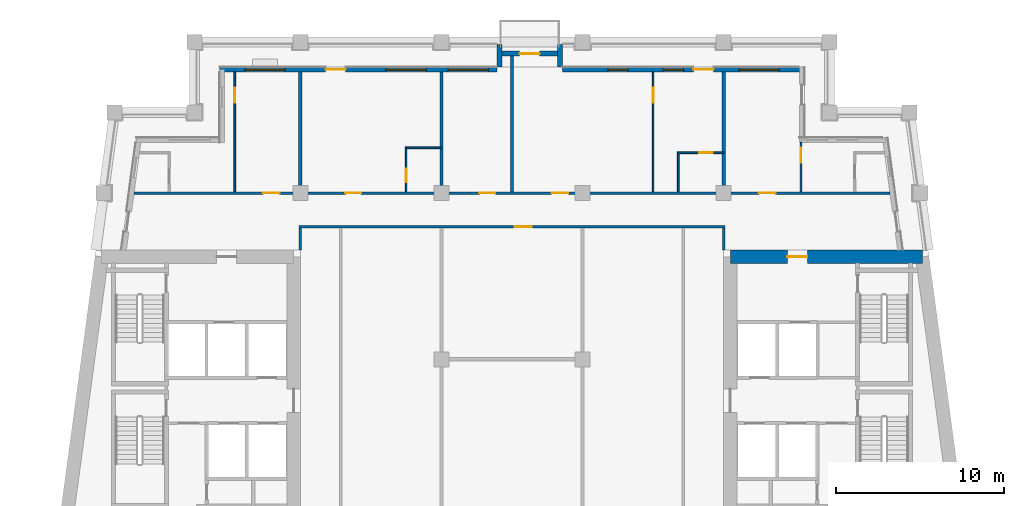
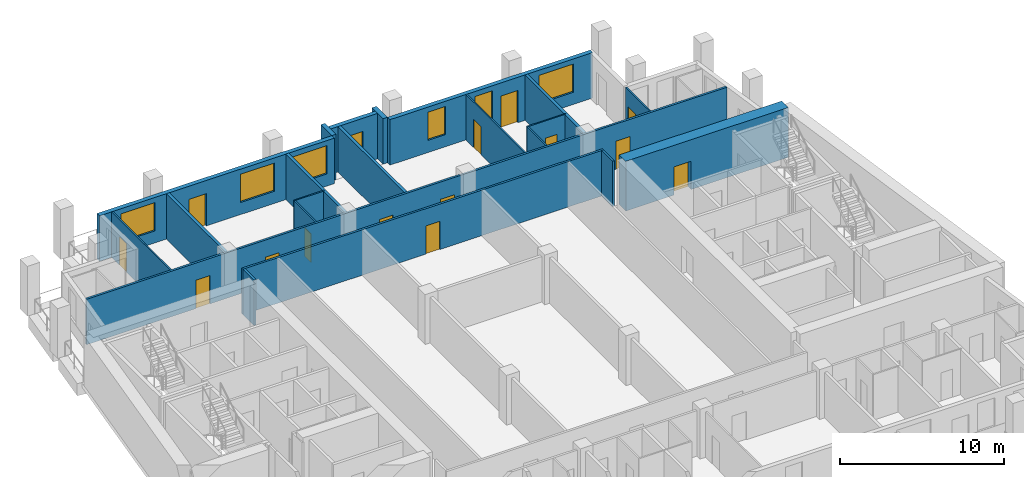
# One storey, part 6 of 12: 21 walls, 15 doors, 6 windows, 21 openings.
"""IFC4 building model written with IfcOpenShell, lengths in metres."""

import ifcopenshell
import ifcopenshell.guid

model = None  # the IFC model being written
_history = None  # IfcOwnerHistory: only IFC2X3 demands one
_inside = {}  # id of a spatial element -> (the spatial element, [elements in it])
_under = {}  # id of a project, library or spatial element -> (it, [spatial elements below it])
_declared = {}  # id of a project -> (the project, [libraries it declares])
_typed = {}  # id of a type object -> (the type object, [elements of that type])
_made_of = {}  # id of a material, layer set ... -> (it, [elements and type objects made of it])


def new_model(schema):
    """Start an empty IFC model of exactly this schema.

    Asked for "IFC4X3", IfcOpenShell would pick the latest addendum, in which some entities
    have other attributes; the version numbers below select the first issue.
    IFC2X3 requires an IfcOwnerHistory on every rooted entity: one is made here for all.
    """
    global model, _history
    if schema == "IFC4X3":
        model = ifcopenshell.file(schema_version=(4, 3, 0, 0))
    else:
        model = ifcopenshell.file(schema=schema)
    _inside.clear()
    _under.clear()
    _declared.clear()
    _typed.clear()
    _made_of.clear()
    _history = None
    if model.schema == "IFC2X3":
        org = make("IfcOrganization", Name="unknown")
        user = make(
            "IfcPersonAndOrganization",
            ThePerson=make("IfcPerson", FamilyName="unknown"),
            TheOrganization=org,
        )
        app = make(
            "IfcApplication",
            ApplicationDeveloper=org,
            Version="unknown",
            ApplicationFullName="unknown",
            ApplicationIdentifier="unknown",
        )
        _history = make(
            "IfcOwnerHistory",
            OwningUser=user,
            OwningApplication=app,
            ChangeAction="ADDED",
            CreationDate=0,
        )
    return model


def make(cls, **values):
    """One entity of the class cls with the attributes given. An attribute that is None is left unset."""
    return model.create_entity(
        cls, **{name: value for name, value in values.items() if value is not None}
    )


def rooted(cls, **values):
    """An entity with a GlobalId (a new one), such as an element, a storey or a relation."""
    return make(cls, GlobalId=ifcopenshell.guid.new(), OwnerHistory=_history, **values)


def si_unit(unit_type, name, prefix=None):
    """IfcSIUnit, for example si_unit("LENGTHUNIT", "METRE", prefix="MILLI")."""
    return make("IfcSIUnit", UnitType=unit_type, Prefix=prefix, Name=name)


def assignment(units):
    """IfcUnitAssignment: the units of a project."""
    return None if units is None else make("IfcUnitAssignment", Units=units)


def point(xyz):
    """IfcCartesianPoint."""
    return None if xyz is None else make("IfcCartesianPoint", Coordinates=xyz)


def direction(xyz):
    """IfcDirection."""
    return None if xyz is None else make("IfcDirection", DirectionRatios=xyz)


def frame(location, z_axis=None, x_axis=None):
    """IfcAxis2Placement3D, a coordinate frame: its origin and axes. An axis left out is left unset."""
    return make(
        "IfcAxis2Placement3D",
        Location=point(location),
        Axis=direction(z_axis),
        RefDirection=direction(x_axis),
    )


def frame_2d(location, x_axis=None):
    """IfcAxis2Placement2D, a coordinate frame in the plane: its origin and x axis."""
    return make(
        "IfcAxis2Placement2D", Location=point(location), RefDirection=direction(x_axis)
    )


def origin():
    """The frame at (0, 0, 0) with its axes left unset."""
    return frame((0.0, 0.0, 0.0))


def place(relative_to, where):
    """IfcLocalPlacement: puts the frame where relative to a parent placement (None: the world)."""
    return make(
        "IfcLocalPlacement", PlacementRelTo=relative_to, RelativePlacement=where
    )


def context(
    kind, dimensions, precision=None, world=None, true_north=None, identifier=None
):
    """IfcGeometricRepresentationContext, for example the 3D "Model" context."""
    return make(
        "IfcGeometricRepresentationContext",
        ContextIdentifier=identifier,
        ContextType=kind,
        CoordinateSpaceDimension=dimensions,
        Precision=precision,
        WorldCoordinateSystem=world,
        TrueNorth=true_north,
    )


def subcontext(parent, identifier, kind, view, scale=None):
    """IfcGeometricRepresentationSubContext, for example "Body" below "Model"."""
    return make(
        "IfcGeometricRepresentationSubContext",
        ContextIdentifier=identifier,
        ContextType=kind,
        ParentContext=parent,
        TargetScale=scale,
        TargetView=view,
    )


def project(units=None, contexts=None):
    """IfcProject with its units and contexts."""
    return rooted(
        "IfcProject",
        Name="project",
        RepresentationContexts=contexts,
        UnitsInContext=assignment(units),
    )


def spatial(cls, under=None, at=None, **own):
    """A site, building, storey or space (cls), placed at a placement, below another one or the project."""
    s = rooted(cls, ObjectPlacement=at, **own)
    if under is not None:
        _under.setdefault(under.id(), (under, []))[1].append(s)
    return s


def profile(cls, at=None, kind="AREA", **sizes):
    """A parametric profile (cls). Its sizes go by their IFC names, for example OverallWidth=200.0."""
    return make(cls, ProfileType=kind, Position=at, **sizes)


def rectangle(**sizes):
    """IfcRectangleProfileDef."""
    return profile("IfcRectangleProfileDef", **sizes)


def extrude(swept, where, along, depth):
    """IfcExtrudedAreaSolid: the profile swept, set in the frame where, extruded along a direction by depth."""
    return make(
        "IfcExtrudedAreaSolid",
        SweptArea=swept,
        Position=where,
        ExtrudedDirection=direction(along),
        Depth=depth,
    )


def shape(context_of_items, identifier, shape_type, items):
    """IfcShapeRepresentation: the items that make up one representation, for example the "Body"."""
    return make(
        "IfcShapeRepresentation",
        ContextOfItems=context_of_items,
        RepresentationIdentifier=identifier,
        RepresentationType=shape_type,
        Items=items,
    )


def material(Name=None, Category=None):
    """IfcMaterial."""
    return make("IfcMaterial", Name=Name, Category=Category)


def layer(
    of_material, thickness, ventilated=None, Name=None, Category=None, Priority=None
):
    """IfcMaterialLayer: one layer of a wall or slab, of a material (None: an air gap)."""
    return make(
        "IfcMaterialLayer",
        Material=of_material,
        LayerThickness=thickness,
        IsVentilated=ventilated,
        Name=Name,
        Category=Category,
        Priority=Priority,
    )


def layer_set(layers, Name=None):
    """IfcMaterialLayerSet."""
    return make("IfcMaterialLayerSet", MaterialLayers=layers, LayerSetName=Name)


def made_of(thing, what):
    """Note that an element or type object is made of a material, layer set ...; save() writes the relation."""
    if what is not None:
        _made_of.setdefault(what.id(), (what, []))[1].append(thing)
    return thing


def type_object(cls, material=None, **own):
    """A type object (cls), such as IfcWallType, which elements share."""
    return made_of(rooted(cls, **own), material)


def element(
    cls,
    number,
    at=None,
    inside=None,
    cuts=None,
    type_object=None,
    material=None,
    context=None,
    identifier="Body",
    shape_type=None,
    held_by="IfcProductDefinitionShape",
    body=None,
    shapes=None,
    **own,
):
    """One element of the class cls, such as IfcWall. Its Tag is "e" and its number.

    at: its placement. inside: the storey or other place that contains it. cuts: it is an
    opening in that element (IfcRelVoidsElement). A single representation is given by context,
    identifier, shape_type and body (its items); several are given by shapes. held_by: the class
    of the entity that holds the representations. save() writes the other relations.
    """
    e = rooted(cls, Tag="e%d" % number, ObjectPlacement=at, **own)
    if body is not None:
        shapes = [shape(context, identifier, shape_type, body)]
    if shapes is not None:
        e.Representation = make(held_by, Representations=shapes)
    if inside is not None:
        _inside.setdefault(inside.id(), (inside, []))[1].append(e)
    if cuts is not None:
        rooted(
            "IfcRelVoidsElement", RelatingBuildingElement=cuts, RelatedOpeningElement=e
        )
    if type_object is not None:
        _typed.setdefault(type_object.id(), (type_object, []))[1].append(e)
    return made_of(e, material)


def fill(opening, filler):
    """IfcRelFillsElement: the door or window that sits in an opening."""
    return rooted(
        "IfcRelFillsElement",
        RelatingOpeningElement=opening,
        RelatedBuildingElement=filler,
    )


def aggregate(whole, parts):
    """IfcRelAggregates: a whole, such as a stair, and the parts it consists of."""
    return rooted("IfcRelAggregates", RelatingObject=whole, RelatedObjects=parts)


def save(model, path):
    """Write the relations noted so far, then the file.

    IfcRelAggregates (storeys below a building ...), IfcRelContainedInSpatialStructure (elements
    in a storey), IfcRelDefinesByType, IfcRelAssociatesMaterial and IfcRelDeclares: one each for
    every whole, place, type object, material and project.
    """
    for whole, parts in _under.values():
        aggregate(whole, parts)
    for where, things in _inside.values():
        rooted(
            "IfcRelContainedInSpatialStructure",
            RelatedElements=things,
            RelatingStructure=where,
        )
    for kind, things in _typed.values():
        rooted("IfcRelDefinesByType", RelatedObjects=things, RelatingType=kind)
    for what, things in _made_of.values():
        rooted("IfcRelAssociatesMaterial", RelatedObjects=things, RelatingMaterial=what)
    for by, libraries in _declared.values():
        rooted("IfcRelDeclares", RelatingContext=by, RelatedDefinitions=libraries)
    model.write(path)


model = new_model("IFC4")

# Units and contexts
model_context = context("Model", 3, precision=1e-05, world=origin(), true_north=direction((0.0, 1.0)))
body_context = subcontext(model_context, "Body", "Model", "MODEL_VIEW")
ifc_project = project(units=[si_unit("LENGTHUNIT", "METRE"), si_unit("AREAUNIT", "SQUARE_METRE"), si_unit("VOLUMEUNIT", "CUBIC_METRE"), si_unit("PLANEANGLEUNIT", "RADIAN"), si_unit("MASSUNIT", "GRAM", prefix="KILO")], contexts=[model_context])

# Site, building, storey
site_placement = place(None, origin())
site = spatial("IfcSite", under=ifc_project, at=site_placement, CompositionType="ELEMENT")
building_placement = place(site_placement, origin())
building = spatial("IfcBuilding", under=site, at=building_placement, Name="Candeia Pilgrim Tower and Theatre", CompositionType="ELEMENT")
storey_placement = place(building_placement, frame((0.0, 0.0, 235.5)))
storey = spatial("IfcBuildingStorey", under=building, at=storey_placement, Name="L57", CompositionType="ELEMENT", Elevation=235.5)

# Wall, opening, door
ifc_material_1 = material(Name="Concrete C50/60", Category="concrete")
ifc_layer_1 = layer(ifc_material_1, 0.800048828125)
ifc_layer_set_1 = layer_set([ifc_layer_1], Name="Core wall 800 C50/60")
wall_type_1 = type_object("IfcWallType", Name="Core wall 800 C50/60", PredefinedType="SHEAR", material=ifc_layer_set_1)
wall_1_placement = place(storey_placement, frame((126.39990234375, 132.0, 0.0), z_axis=(0.0, 0.0, 1.0), x_axis=(1.0, 0.0, 0.0)))
wall_1 = element("IfcWall", 1, at=wall_1_placement, inside=storey, type_object=wall_type_1, Name="Core wall E1", PredefinedType="SHEAR", context=body_context, shape_type="SweptSolid", body=[
    extrude(rectangle(XDim=11.419677734375, YDim=0.800048828125, at=frame_2d((5.7099609375, 0.0))), origin(), (0.0, 0.0, 1.0), 3.699951171875),
])
opening_1_placement = place(wall_1_placement, frame((3.386474609375, 0.0, 0.0)))
opening_1 = element("IfcOpeningElement", 2, at=opening_1_placement, cuts=wall_1, Name="Opening L57-D051", PredefinedType="OPENING", context=body_context, shape_type="SweptSolid", body=[
    extrude(rectangle(XDim=1.199951171875, YDim=2.10009765625, at=frame_2d((0.60009765625, 1.050048828125))), frame((0.0, 0.41015625, 0.0), z_axis=(0.0, -1.0, 0.0), x_axis=(1.0, 0.0, 0.0)), (0.0, 0.0, 1.0), 0.820068359375),
])
ifc_material_2 = material(Name="Steel fire door set", Category="steel")
door_type_1 = type_object("IfcDoorType", Name="D-1200-FD60", OperationType="NOTDEFINED", PredefinedType="DOOR", material=ifc_material_2)
door_1_placement = place(opening_1_placement, origin())
door_1 = element("IfcDoor", 3, at=door_1_placement, inside=storey, type_object=door_type_1, Name="Door L57-D051", OperationType="SINGLE_SWING_RIGHT", OverallHeight=2.10009765625, OverallWidth=1.199951171875, PredefinedType="DOOR", context=body_context, shape_type="SweptSolid", body=[
    extrude(rectangle(XDim=1.199951171875, YDim=2.10009765625, at=frame_2d((0.60009765625, 1.050048828125))), frame((0.0, 0.02490234375, 0.0), z_axis=(0.0, -1.0, 0.0), x_axis=(1.0, 0.0, 0.0)), (0.0, 0.0, 1.0), 0.050048828125),
])
fill(opening_1, door_1)

# Wall, openings, door, windows
ifc_material_3 = material(Name="Ceramic block masonry", Category="masonry")
ifc_layer_2 = layer(ifc_material_3, 0.300048828125)
ifc_layer_set_2 = layer_set([ifc_layer_2], Name="EW1 glazing-line wall 300")
wall_type_2 = type_object("IfcWallType", Name="EW1 glazing-line wall 300", PredefinedType="SOLIDWALL", material=ifc_layer_set_2)
wall_2_placement = place(storey_placement, frame((130.64990234375, 143.14990234375, 0.0), z_axis=(0.0, 0.0, 1.0), x_axis=(-1.0, 0.0, 0.0)))
wall_2 = element("IfcWall", 4, at=wall_2_placement, inside=storey, type_object=wall_type_2, Name="External wall L57-6.0", PredefinedType="SOLIDWALL", context=body_context, shape_type="SweptSolid", body=[
    extrude(rectangle(XDim=14.25, YDim=0.300048828125, at=frame_2d((7.125, 0.0))), origin(), (0.0, 0.0, 1.0), 3.3798828125),
])
opening_2_placement = place(wall_2_placement, frame((1.35009765625, 0.0, 0.89990234375)))
opening_2 = element("IfcOpeningElement", 5, at=opening_2_placement, cuts=wall_2, Name="Opening W-A", PredefinedType="OPENING", context=body_context, shape_type="SweptSolid", body=[
    extrude(rectangle(XDim=2.39990234375, YDim=2.10009765625, at=frame_2d((1.199951171875, 1.050048828125))), frame((0.0, 0.16015625, 0.0), z_axis=(0.0, -1.0, 0.0), x_axis=(1.0, 0.0, 0.0)), (0.0, 0.0, 1.0), 0.320068359375),
])
opening_3_placement = place(wall_2_placement, frame((5.25, 0.0, 0.0)))
opening_3 = element("IfcOpeningElement", 6, at=opening_3_placement, cuts=wall_2, Name="Opening L57-ED551", PredefinedType="OPENING", context=body_context, shape_type="SweptSolid", body=[
    extrude(rectangle(XDim=1.199951171875, YDim=2.39990234375, at=frame_2d((0.60009765625, 1.199951171875))), frame((0.0, 0.16015625, 0.0), z_axis=(0.0, -1.0, 0.0), x_axis=(1.0, 0.0, 0.0)), (0.0, 0.0, 1.0), 0.320068359375),
])
opening_4_placement = place(wall_2_placement, frame((7.050048828125, 0.0, 0.89990234375)))
opening_4 = element("IfcOpeningElement", 7, at=opening_4_placement, cuts=wall_2, Name="Opening W-B", PredefinedType="OPENING", context=body_context, shape_type="SweptSolid", body=[
    extrude(rectangle(XDim=1.199951171875, YDim=2.10009765625, at=frame_2d((0.60009765625, 1.050048828125))), frame((0.0, 0.16015625, 0.0), z_axis=(0.0, -1.0, 0.0), x_axis=(1.0, 0.0, 0.0)), (0.0, 0.0, 1.0), 0.320068359375),
])
opening_5_placement = place(wall_2_placement, frame((10.35009765625, 0.0, 0.89990234375)))
opening_5 = element("IfcOpeningElement", 8, at=opening_5_placement, cuts=wall_2, Name="Opening W-B", PredefinedType="OPENING", context=body_context, shape_type="SweptSolid", body=[
    extrude(rectangle(XDim=1.199951171875, YDim=2.10009765625, at=frame_2d((0.60009765625, 1.050048828125))), frame((0.0, 0.16015625, 0.0), z_axis=(0.0, -1.0, 0.0), x_axis=(1.0, 0.0, 0.0)), (0.0, 0.0, 1.0), 0.320068359375),
])
ifc_material_4 = material(Name="Aluminium framed glazed door", Category="aluminium")
door_type_2 = type_object("IfcDoorType", Name="Loggia door 1200x2400", OperationType="DOUBLE_DOOR_SINGLE_SWING", PredefinedType="DOOR", material=ifc_material_4)
door_2_placement = place(opening_3_placement, origin())
door_2 = element("IfcDoor", 9, at=door_2_placement, inside=storey, type_object=door_type_2, Name="Loggia door L57-ED551", OperationType="DOUBLE_DOOR_SINGLE_SWING", OverallHeight=2.39990234375, OverallWidth=1.199951171875, PredefinedType="DOOR", context=body_context, shape_type="SweptSolid", body=[
    extrude(rectangle(XDim=1.199951171875, YDim=2.39990234375, at=frame_2d((0.60009765625, 1.199951171875))), frame((0.0, 0.02490234375, 0.0), z_axis=(0.0, -1.0, 0.0), x_axis=(1.0, 0.0, 0.0)), (0.0, 0.0, 1.0), 0.050048828125),
])
fill(opening_3, door_2)
ifc_material_5 = material(Name="Aluminium framed double glazing", Category="aluminium")
window_type_1 = type_object("IfcWindowType", Name="W-A window 2400x2100", PartitioningType="DOUBLE_PANEL_VERTICAL", PredefinedType="WINDOW", material=ifc_material_5)
window_1_placement = place(opening_2_placement, origin())
window_1 = element("IfcWindow", 10, at=window_1_placement, inside=storey, type_object=window_type_1, Name="Window W-A L57", OverallHeight=2.10009765625, OverallWidth=2.39990234375, PartitioningType="SINGLE_PANEL", PredefinedType="WINDOW", context=body_context, shape_type="SweptSolid", body=[
    extrude(rectangle(XDim=2.39990234375, YDim=2.10009765625, at=frame_2d((1.199951171875, 1.050048828125))), frame((0.0, 0.030029296875, 0.0), z_axis=(0.0, -1.0, 0.0), x_axis=(1.0, 0.0, 0.0)), (0.0, 0.0, 1.0), 0.06005859375),
])
fill(opening_2, window_1)
window_type_2 = type_object("IfcWindowType", Name="W-B window 1200x2100", PartitioningType="SINGLE_PANEL", PredefinedType="WINDOW", material=ifc_material_5)
window_2_placement = place(opening_4_placement, origin())
window_2 = element("IfcWindow", 11, at=window_2_placement, inside=storey, type_object=window_type_2, Name="Window W-B L57", OverallHeight=2.10009765625, OverallWidth=1.199951171875, PartitioningType="SINGLE_PANEL", PredefinedType="WINDOW", context=body_context, shape_type="SweptSolid", body=[
    extrude(rectangle(XDim=1.199951171875, YDim=2.10009765625, at=frame_2d((0.60009765625, 1.050048828125))), frame((0.0, 0.030029296875, 0.0), z_axis=(0.0, -1.0, 0.0), x_axis=(1.0, 0.0, 0.0)), (0.0, 0.0, 1.0), 0.06005859375),
])
fill(opening_4, window_2)
window_3_placement = place(opening_5_placement, origin())
window_3 = element("IfcWindow", 12, at=window_3_placement, inside=storey, type_object=window_type_2, Name="Window W-B L57", OverallHeight=2.10009765625, OverallWidth=1.199951171875, PartitioningType="SINGLE_PANEL", PredefinedType="WINDOW", context=body_context, shape_type="SweptSolid", body=[
    extrude(rectangle(XDim=1.199951171875, YDim=2.10009765625, at=frame_2d((0.60009765625, 1.050048828125))), frame((0.0, 0.030029296875, 0.0), z_axis=(0.0, -1.0, 0.0), x_axis=(1.0, 0.0, 0.0)), (0.0, 0.0, 1.0), 0.06005859375),
])
fill(opening_5, window_3)

wall_3_placement = place(storey_placement, frame((112.5, 143.14990234375, 0.0), z_axis=(0.0, 0.0, 1.0), x_axis=(-1.0, 0.0, 0.0)))
wall_3 = element("IfcWall", 13, at=wall_3_placement, inside=storey, type_object=wall_type_2, Name="External wall L57-6.1", PredefinedType="SOLIDWALL", context=body_context, shape_type="SweptSolid", body=[
    extrude(rectangle(XDim=16.5, YDim=0.300048828125, at=frame_2d((8.25, 0.0))), origin(), (0.0, 0.0, 1.0), 3.3798828125),
])
opening_6_placement = place(wall_3_placement, frame((0.5, 0.0, 0.89990234375)))
opening_6 = element("IfcOpeningElement", 14, at=opening_6_placement, cuts=wall_3, Name="Opening W-A", PredefinedType="OPENING", context=body_context, shape_type="SweptSolid", body=[
    extrude(rectangle(XDim=2.39990234375, YDim=2.10009765625, at=frame_2d((1.199951171875, 1.050048828125))), frame((0.0, 0.16015625, 0.0), z_axis=(0.0, -1.0, 0.0), x_axis=(1.0, 0.0, 0.0)), (0.0, 0.0, 1.0), 0.320068359375),
])
opening_7_placement = place(wall_3_placement, frame((4.199951171875, 0.0, 0.89990234375)))
opening_7 = element("IfcOpeningElement", 15, at=opening_7_placement, cuts=wall_3, Name="Opening W-A", PredefinedType="OPENING", context=body_context, shape_type="SweptSolid", body=[
    extrude(rectangle(XDim=2.39990234375, YDim=2.10009765625, at=frame_2d((1.199951171875, 1.050048828125))), frame((0.0, 0.16015625, 0.0), z_axis=(0.0, -1.0, 0.0), x_axis=(1.0, 0.0, 0.0)), (0.0, 0.0, 1.0), 0.320068359375),
])
opening_8_placement = place(wall_3_placement, frame((9.0, 0.0, 0.0)))
opening_8 = element("IfcOpeningElement", 16, at=opening_8_placement, cuts=wall_3, Name="Opening L57-ED552", PredefinedType="OPENING", context=body_context, shape_type="SweptSolid", body=[
    extrude(rectangle(XDim=1.199951171875, YDim=2.39990234375, at=frame_2d((0.60009765625, 1.199951171875))), frame((0.0, 0.16015625, 0.0), z_axis=(0.0, -1.0, 0.0), x_axis=(1.0, 0.0, 0.0)), (0.0, 0.0, 1.0), 0.320068359375),
])
opening_9_placement = place(wall_3_placement, frame((12.60009765625, 0.0, 0.89990234375)))
opening_9 = element("IfcOpeningElement", 17, at=opening_9_placement, cuts=wall_3, Name="Opening W-A", PredefinedType="OPENING", context=body_context, shape_type="SweptSolid", body=[
    extrude(rectangle(XDim=2.39990234375, YDim=2.10009765625, at=frame_2d((1.199951171875, 1.050048828125))), frame((0.0, 0.16015625, 0.0), z_axis=(0.0, -1.0, 0.0), x_axis=(1.0, 0.0, 0.0)), (0.0, 0.0, 1.0), 0.320068359375),
])
door_3_placement = place(opening_8_placement, origin())
door_3 = element("IfcDoor", 18, at=door_3_placement, inside=storey, type_object=door_type_2, Name="Loggia door L57-ED552", OperationType="DOUBLE_DOOR_SINGLE_SWING", OverallHeight=2.39990234375, OverallWidth=1.199951171875, PredefinedType="DOOR", context=body_context, shape_type="SweptSolid", body=[
    extrude(rectangle(XDim=1.199951171875, YDim=2.39990234375, at=frame_2d((0.60009765625, 1.199951171875))), frame((0.0, 0.02490234375, 0.0), z_axis=(0.0, -1.0, 0.0), x_axis=(1.0, 0.0, 0.0)), (0.0, 0.0, 1.0), 0.050048828125),
])
fill(opening_8, door_3)
window_4_placement = place(opening_6_placement, origin())
window_4 = element("IfcWindow", 19, at=window_4_placement, inside=storey, type_object=window_type_1, Name="Window W-A L57", OverallHeight=2.10009765625, OverallWidth=2.39990234375, PartitioningType="SINGLE_PANEL", PredefinedType="WINDOW", context=body_context, shape_type="SweptSolid", body=[
    extrude(rectangle(XDim=2.39990234375, YDim=2.10009765625, at=frame_2d((1.199951171875, 1.050048828125))), frame((0.0, 0.030029296875, 0.0), z_axis=(0.0, -1.0, 0.0), x_axis=(1.0, 0.0, 0.0)), (0.0, 0.0, 1.0), 0.06005859375),
])
fill(opening_6, window_4)
window_5_placement = place(opening_7_placement, origin())
window_5 = element("IfcWindow", 20, at=window_5_placement, inside=storey, type_object=window_type_1, Name="Window W-A L57", OverallHeight=2.10009765625, OverallWidth=2.39990234375, PartitioningType="SINGLE_PANEL", PredefinedType="WINDOW", context=body_context, shape_type="SweptSolid", body=[
    extrude(rectangle(XDim=2.39990234375, YDim=2.10009765625, at=frame_2d((1.199951171875, 1.050048828125))), frame((0.0, 0.030029296875, 0.0), z_axis=(0.0, -1.0, 0.0), x_axis=(1.0, 0.0, 0.0)), (0.0, 0.0, 1.0), 0.06005859375),
])
fill(opening_7, window_5)
window_6_placement = place(opening_9_placement, origin())
window_6 = element("IfcWindow", 21, at=window_6_placement, inside=storey, type_object=window_type_1, Name="Window W-A L57", OverallHeight=2.10009765625, OverallWidth=2.39990234375, PartitioningType="SINGLE_PANEL", PredefinedType="WINDOW", context=body_context, shape_type="SweptSolid", body=[
    extrude(rectangle(XDim=2.39990234375, YDim=2.10009765625, at=frame_2d((1.199951171875, 1.050048828125))), frame((0.0, 0.030029296875, 0.0), z_axis=(0.0, -1.0, 0.0), x_axis=(1.0, 0.0, 0.0)), (0.0, 0.0, 1.0), 0.06005859375),
])
fill(opening_9, window_6)

# Walls
ifc_layer_3 = layer(ifc_material_3, 0.300048828125)
ifc_layer_set_3 = layer_set([ifc_layer_3], Name="EW2 entrance infill wall 300")
wall_type_3 = type_object("IfcWallType", Name="EW2 entrance infill wall 300", PredefinedType="SOLIDWALL", material=ifc_layer_set_3)
for number, where, z_axis, x_axis, name in (
    (22, (116.25, 143.300048828125, 0.0), (0.0, 0.0, 1.0), (0.0, 1.0, 0.0), "Alcove wall L57"),
    (23, (112.64990234375, 143.300048828125, 0.0), (0.0, 0.0, 1.0), (0.0, 1.0, 0.0), "Alcove wall L57"),
):
    element("IfcWall", number, at=place(storey_placement, frame(where, z_axis=z_axis, x_axis=x_axis)), inside=storey, type_object=wall_type_3, Name=name, PredefinedType="SOLIDWALL", context=body_context, shape_type="SweptSolid", body=[
        extrude(rectangle(XDim=1.349853515625, YDim=0.300048828125, at=frame_2d((0.6748046875, 0.0))), origin(), (0.0, 0.0, 1.0), 3.3798828125),
    ])

# Wall, opening, door
wall_4_placement = place(storey_placement, frame((116.39990234375, 144.10009765625, 0.0), z_axis=(0.0, 0.0, 1.0), x_axis=(-1.0, 0.0, 0.0)))
wall_4 = element("IfcWall", 24, at=wall_4_placement, inside=storey, type_object=wall_type_3, Name="Alcove wall L57", PredefinedType="SOLIDWALL", context=body_context, shape_type="SweptSolid", body=[
    extrude(rectangle(XDim=3.89990234375, YDim=0.300048828125, at=frame_2d((1.949951171875, 0.0))), origin(), (0.0, 0.0, 1.0), 3.3798828125),
])
opening_10_placement = place(wall_4_placement, frame((1.35009765625, 0.0, 0.0)))
opening_10 = element("IfcOpeningElement", 25, at=opening_10_placement, cuts=wall_4, Name="Opening L57-ED553", PredefinedType="OPENING", context=body_context, shape_type="SweptSolid", body=[
    extrude(rectangle(XDim=1.199951171875, YDim=2.39990234375, at=frame_2d((0.60009765625, 1.199951171875))), frame((0.0, 0.16015625, 0.0), z_axis=(0.0, -1.0, 0.0), x_axis=(1.0, 0.0, 0.0)), (0.0, 0.0, 1.0), 0.320068359375),
])
door_4_placement = place(opening_10_placement, origin())
door_4 = element("IfcDoor", 26, at=door_4_placement, inside=storey, type_object=door_type_2, Name="Balcony door L57-ED553", OperationType="DOUBLE_DOOR_SINGLE_SWING", OverallHeight=2.39990234375, OverallWidth=1.199951171875, PredefinedType="DOOR", context=body_context, shape_type="SweptSolid", body=[
    extrude(rectangle(XDim=1.199951171875, YDim=2.39990234375, at=frame_2d((0.60009765625, 1.199951171875))), frame((0.0, 0.02490234375, 0.0), z_axis=(0.0, -1.0, 0.0), x_axis=(1.0, 0.0, 0.0)), (0.0, 0.0, 1.0), 0.050048828125),
])
fill(opening_10, door_4)

ifc_material_6 = material(Name="Gypsum board partition on steel studs", Category="steel")
ifc_layer_4 = layer(ifc_material_6, 0.10009765625)
ifc_layer_set_4 = layer_set([ifc_layer_4], Name="PW-100 room partition")
wall_type_4 = type_object("IfcWallType", Name="PW-100 room partition", PredefinedType="PARTITIONING", material=ifc_layer_set_4)
wall_5_placement = place(storey_placement, frame((123.25, 138.199951171875, 0.0), z_axis=(0.0, 0.0, 1.0), x_axis=(1.0, 0.0, 0.0)))
wall_5 = element("IfcWall", 27, at=wall_5_placement, inside=storey, type_object=wall_type_4, Name="Room partition L57-042", PredefinedType="PARTITIONING", context=body_context, shape_type="SweptSolid", body=[
    extrude(rectangle(XDim=2.75, YDim=0.10009765625, at=frame_2d((1.375, 0.0))), origin(), (0.0, 0.0, 1.0), 3.3798828125),
])
opening_11_placement = place(wall_5_placement, frame((1.300048828125, 0.0, 0.0)))
opening_11 = element("IfcOpeningElement", 28, at=opening_11_placement, cuts=wall_5, Name="Opening L57-D039", PredefinedType="OPENING", context=body_context, shape_type="SweptSolid", body=[
    extrude(rectangle(XDim=0.800048828125, YDim=2.10009765625, at=frame_2d((0.39990234375, 1.050048828125))), frame((0.0, 0.06005859375, 0.0), z_axis=(0.0, -1.0, 0.0), x_axis=(1.0, 0.0, 0.0)), (0.0, 0.0, 1.0), 0.1201171875),
])
ifc_material_7 = material(Name="Timber door leaf", Category="wood")
door_type_3 = type_object("IfcDoorType", Name="D-800", OperationType="NOTDEFINED", PredefinedType="DOOR", material=ifc_material_7)
door_5_placement = place(opening_11_placement, origin())
door_5 = element("IfcDoor", 29, at=door_5_placement, inside=storey, type_object=door_type_3, Name="Door L57-D039", OperationType="SINGLE_SWING_RIGHT", OverallHeight=2.10009765625, OverallWidth=0.800048828125, PredefinedType="DOOR", context=body_context, shape_type="SweptSolid", body=[
    extrude(rectangle(XDim=0.800048828125, YDim=2.10009765625, at=frame_2d((0.39990234375, 1.050048828125))), frame((0.0, 0.02490234375, 0.0), z_axis=(0.0, -1.0, 0.0), x_axis=(1.0, 0.0, 0.0)), (0.0, 0.0, 1.0), 0.050048828125),
])
fill(opening_11, door_5)

# Wall
wall_6_placement = place(storey_placement, frame((107.050048828125, 138.5, 0.0), z_axis=(0.0, 0.0, 1.0), x_axis=(1.0, 0.0, 0.0)))
element("IfcWall", 30, at=wall_6_placement, inside=storey, type_object=wall_type_4, Name="Room partition L57-044", PredefinedType="PARTITIONING", context=body_context, shape_type="SweptSolid", body=[
    extrude(rectangle(XDim=2.14990234375, YDim=0.10009765625, at=frame_2d((1.074951171875, 0.0))), origin(), (0.0, 0.0, 1.0), 3.3798828125),
])

# Wall, opening, door
wall_7_placement = place(storey_placement, frame((96.89990234375, 135.875, 0.0), z_axis=(0.0, 0.0, 1.0), x_axis=(0.0, 1.0, 0.0)))
wall_7 = element("IfcWall", 31, at=wall_7_placement, inside=storey, type_object=wall_type_4, Name="Room partition L57-061", PredefinedType="PARTITIONING", context=body_context, shape_type="SweptSolid", body=[
    extrude(rectangle(XDim=7.135009765625, YDim=0.10009765625, at=frame_2d((3.5673828125, 0.0))), origin(), (0.0, 0.0, 1.0), 3.3798828125),
])
opening_12_placement = place(wall_7_placement, frame((5.2900390625, 0.0, 0.0)))
opening_12 = element("IfcOpeningElement", 32, at=opening_12_placement, cuts=wall_7, Name="Opening L57-D032", PredefinedType="OPENING", context=body_context, shape_type="SweptSolid", body=[
    extrude(rectangle(XDim=0.89990234375, YDim=2.10009765625, at=frame_2d((0.449951171875, 1.050048828125))), frame((0.0, 0.06005859375, 0.0), z_axis=(0.0, -1.0, 0.0), x_axis=(1.0, 0.0, 0.0)), (0.0, 0.0, 1.0), 0.1201171875),
])
door_type_4 = type_object("IfcDoorType", Name="D-900", OperationType="NOTDEFINED", PredefinedType="DOOR", material=ifc_material_7)
door_6_placement = place(opening_12_placement, origin())
door_6 = element("IfcDoor", 33, at=door_6_placement, inside=storey, type_object=door_type_4, Name="Door L57-D032", OperationType="SINGLE_SWING_LEFT", OverallHeight=2.10009765625, OverallWidth=0.89990234375, PredefinedType="DOOR", context=body_context, shape_type="SweptSolid", body=[
    extrude(rectangle(XDim=0.89990234375, YDim=2.10009765625, at=frame_2d((0.449951171875, 1.050048828125))), frame((0.0, 0.02490234375, 0.0), z_axis=(0.0, -1.0, 0.0), x_axis=(1.0, 0.0, 0.0)), (0.0, 0.0, 1.0), 0.050048828125),
])
fill(opening_12, door_6)

wall_8_placement = place(storey_placement, frame((107.10009765625, 135.875, 0.0), z_axis=(0.0, 0.0, 1.0), x_axis=(0.0, 1.0, 0.0)))
wall_8 = element("IfcWall", 34, at=wall_8_placement, inside=storey, type_object=wall_type_4, Name="Room partition L57-073", PredefinedType="PARTITIONING", context=body_context, shape_type="SweptSolid", body=[
    extrude(rectangle(XDim=2.574951171875, YDim=0.10009765625, at=frame_2d((1.28759765625, 0.0))), origin(), (0.0, 0.0, 1.0), 3.3798828125),
])
opening_13_placement = place(wall_8_placement, frame((0.574951171875, 0.0, 0.0)))
opening_13 = element("IfcOpeningElement", 35, at=opening_13_placement, cuts=wall_8, Name="Opening L57-D035", PredefinedType="OPENING", context=body_context, shape_type="SweptSolid", body=[
    extrude(rectangle(XDim=0.800048828125, YDim=2.10009765625, at=frame_2d((0.39990234375, 1.050048828125))), frame((0.0, 0.06005859375, 0.0), z_axis=(0.0, -1.0, 0.0), x_axis=(1.0, 0.0, 0.0)), (0.0, 0.0, 1.0), 0.1201171875),
])
door_7_placement = place(opening_13_placement, origin())
door_7 = element("IfcDoor", 36, at=door_7_placement, inside=storey, type_object=door_type_3, Name="Door L57-D035", OperationType="SINGLE_SWING_RIGHT", OverallHeight=2.10009765625, OverallWidth=0.800048828125, PredefinedType="DOOR", context=body_context, shape_type="SweptSolid", body=[
    extrude(rectangle(XDim=0.800048828125, YDim=2.10009765625, at=frame_2d((0.39990234375, 1.050048828125))), frame((0.0, 0.02490234375, 0.0), z_axis=(0.0, -1.0, 0.0), x_axis=(1.0, 0.0, 0.0)), (0.0, 0.0, 1.0), 0.050048828125),
])
fill(opening_13, door_7)

wall_9_placement = place(storey_placement, frame((121.800048828125, 135.875, 0.0), z_axis=(0.0, 0.0, 1.0), x_axis=(0.0, 1.0, 0.0)))
wall_9 = element("IfcWall", 37, at=wall_9_placement, inside=storey, type_object=wall_type_4, Name="Room partition L57-083", PredefinedType="PARTITIONING", context=body_context, shape_type="SweptSolid", body=[
    extrude(rectangle(XDim=7.135009765625, YDim=0.10009765625, at=frame_2d((3.5673828125, 0.0))), origin(), (0.0, 0.0, 1.0), 3.3798828125),
])
opening_14_placement = place(wall_9_placement, frame((5.2900390625, 0.0, 0.0)))
opening_14 = element("IfcOpeningElement", 38, at=opening_14_placement, cuts=wall_9, Name="Opening L57-D038", PredefinedType="OPENING", context=body_context, shape_type="SweptSolid", body=[
    extrude(rectangle(XDim=0.89990234375, YDim=2.10009765625, at=frame_2d((0.449951171875, 1.050048828125))), frame((0.0, 0.06005859375, 0.0), z_axis=(0.0, -1.0, 0.0), x_axis=(1.0, 0.0, 0.0)), (0.0, 0.0, 1.0), 0.1201171875),
])
door_8_placement = place(opening_14_placement, origin())
door_8 = element("IfcDoor", 39, at=door_8_placement, inside=storey, type_object=door_type_4, Name="Door L57-D038", OperationType="SINGLE_SWING_LEFT", OverallHeight=2.10009765625, OverallWidth=0.89990234375, PredefinedType="DOOR", context=body_context, shape_type="SweptSolid", body=[
    extrude(rectangle(XDim=0.89990234375, YDim=2.10009765625, at=frame_2d((0.449951171875, 1.050048828125))), frame((0.0, 0.02490234375, 0.0), z_axis=(0.0, -1.0, 0.0), x_axis=(1.0, 0.0, 0.0)), (0.0, 0.0, 1.0), 0.050048828125),
])
fill(opening_14, door_8)

# Wall
wall_10_placement = place(storey_placement, frame((123.300048828125, 135.875, 0.0), z_axis=(0.0, 0.0, 1.0), x_axis=(0.0, 1.0, 0.0)))
element("IfcWall", 40, at=wall_10_placement, inside=storey, type_object=wall_type_4, Name="Room partition L57-084", PredefinedType="PARTITIONING", context=body_context, shape_type="SweptSolid", body=[
    extrude(rectangle(XDim=2.27490234375, YDim=0.10009765625, at=frame_2d((1.137451171875, 0.0))), origin(), (0.0, 0.0, 1.0), 3.3798828125),
])

# Wall, opening, door
wall_11_placement = place(storey_placement, frame((130.60009765625, 135.875, 0.0), z_axis=(0.0, 0.0, 1.0), x_axis=(0.0, 1.0, 0.0)))
wall_11 = element("IfcWall", 41, at=wall_11_placement, inside=storey, type_object=wall_type_4, Name="Room partition L57-095", PredefinedType="PARTITIONING", context=body_context, shape_type="SweptSolid", body=[
    extrude(rectangle(XDim=2.93505859375, YDim=0.10009765625, at=frame_2d((1.467529296875, 0.0))), origin(), (0.0, 0.0, 1.0), 3.3798828125),
])
opening_15_placement = place(wall_11_placement, frame((1.719970703125, 0.0, 0.0)))
opening_15 = element("IfcOpeningElement", 42, at=opening_15_placement, cuts=wall_11, Name="Opening L57-D041", PredefinedType="OPENING", context=body_context, shape_type="SweptSolid", body=[
    extrude(rectangle(XDim=0.89990234375, YDim=2.10009765625, at=frame_2d((0.449951171875, 1.050048828125))), frame((0.0, 0.06005859375, 0.0), z_axis=(0.0, -1.0, 0.0), x_axis=(1.0, 0.0, 0.0)), (0.0, 0.0, 1.0), 0.1201171875),
])
door_9_placement = place(opening_15_placement, origin())
door_9 = element("IfcDoor", 43, at=door_9_placement, inside=storey, type_object=door_type_4, Name="Door L57-D041", OperationType="SINGLE_SWING_RIGHT", OverallHeight=2.10009765625, OverallWidth=0.89990234375, PredefinedType="DOOR", context=body_context, shape_type="SweptSolid", body=[
    extrude(rectangle(XDim=0.89990234375, YDim=2.10009765625, at=frame_2d((0.449951171875, 1.050048828125))), frame((0.0, 0.02490234375, 0.0), z_axis=(0.0, -1.0, 0.0), x_axis=(1.0, 0.0, 0.0)), (0.0, 0.0, 1.0), 0.050048828125),
])
fill(opening_15, door_9)

ifc_layer_5 = layer(ifc_material_6, 0.14990234375)
ifc_layer_set_5 = layer_set([ifc_layer_5], Name="PW-150 unit wall")
wall_type_5 = type_object("IfcWallType", Name="PW-150 unit wall", PredefinedType="PARTITIONING", material=ifc_layer_set_5)
wall_12_placement = place(storey_placement, frame((100.72509765625, 133.800048828125, 0.0), z_axis=(0.0, 0.0, 1.0), x_axis=(1.0, 0.0, 0.0)))
wall_12 = element("IfcWall", 44, at=wall_12_placement, inside=storey, type_object=wall_type_5, Name="Unit wall L57-039", PredefinedType="PARTITIONING", context=body_context, shape_type="SweptSolid", body=[
    extrude(rectangle(XDim=25.349853515625, YDim=0.14990234375, at=frame_2d((12.6748046875, 0.0))), origin(), (0.0, 0.0, 1.0), 3.3798828125),
])
opening_16_placement = place(wall_12_placement, frame((12.844970703125, 0.0, 0.0)))
opening_16 = element("IfcOpeningElement", 45, at=opening_16_placement, cuts=wall_12, Name="Opening L57-D045", PredefinedType="OPENING", context=body_context, shape_type="SweptSolid", body=[
    extrude(rectangle(XDim=1.0, YDim=2.10009765625, at=frame_2d((0.5, 1.050048828125))), frame((0.0, 0.0849609375, 0.0), z_axis=(0.0, -1.0, 0.0), x_axis=(1.0, 0.0, 0.0)), (0.0, 0.0, 1.0), 0.169921875),
])
door_type_5 = type_object("IfcDoorType", Name="D-1000-FD30S", OperationType="NOTDEFINED", PredefinedType="DOOR", material=ifc_material_2)
door_10_placement = place(opening_16_placement, origin())
door_10 = element("IfcDoor", 46, at=door_10_placement, inside=storey, type_object=door_type_5, Name="Door L57-D045", OperationType="SINGLE_SWING_RIGHT", OverallHeight=2.10009765625, OverallWidth=1.0, PredefinedType="DOOR", context=body_context, shape_type="SweptSolid", body=[
    extrude(rectangle(XDim=1.0, YDim=2.10009765625, at=frame_2d((0.5, 1.050048828125))), frame((0.0, 0.02490234375, 0.0), z_axis=(0.0, -1.0, 0.0), x_axis=(1.0, 0.0, 0.0)), (0.0, 0.0, 1.0), 0.050048828125),
])
fill(opening_16, door_10)

# Wall, openings, doors
wall_13_placement = place(storey_placement, frame((90.89453125, 135.800048828125, 0.0), z_axis=(0.0, 0.0, 1.0), x_axis=(1.0, 0.0, 0.0)))
wall_13 = element("IfcWall", 47, at=wall_13_placement, inside=storey, type_object=wall_type_5, Name="Unit wall L57-040", PredefinedType="PARTITIONING", context=body_context, shape_type="SweptSolid", body=[
    extrude(rectangle(XDim=45.010986328125, YDim=0.14990234375, at=frame_2d((22.50537109375, 0.0))), origin(), (0.0, 0.0, 1.0), 3.3798828125),
])
opening_17_placement = place(wall_13_placement, frame((7.67529296875, 0.0, 0.0)))
opening_17 = element("IfcOpeningElement", 48, at=opening_17_placement, cuts=wall_13, Name="Opening L57-D031", PredefinedType="OPENING", context=body_context, shape_type="SweptSolid", body=[
    extrude(rectangle(XDim=1.0, YDim=2.10009765625, at=frame_2d((0.5, 1.050048828125))), frame((0.0, 0.0849609375, 0.0), z_axis=(0.0, -1.0, 0.0), x_axis=(1.0, 0.0, 0.0)), (0.0, 0.0, 1.0), 0.169921875),
])
opening_18_placement = place(wall_13_placement, frame((12.580322265625, 0.0, 0.0)))
opening_18 = element("IfcOpeningElement", 49, at=opening_18_placement, cuts=wall_13, Name="Opening L57-D034", PredefinedType="OPENING", context=body_context, shape_type="SweptSolid", body=[
    extrude(rectangle(XDim=0.949951171875, YDim=2.10009765625, at=frame_2d((0.47509765625, 1.050048828125))), frame((0.0, 0.0849609375, 0.0), z_axis=(0.0, -1.0, 0.0), x_axis=(1.0, 0.0, 0.0)), (0.0, 0.0, 1.0), 0.169921875),
])
opening_19_placement = place(wall_13_placement, frame((20.568359375, 0.0, 0.0)))
opening_19 = element("IfcOpeningElement", 50, at=opening_19_placement, cuts=wall_13, Name="Opening L57-D036", PredefinedType="OPENING", context=body_context, shape_type="SweptSolid", body=[
    extrude(rectangle(XDim=0.949951171875, YDim=2.10009765625, at=frame_2d((0.47509765625, 1.050048828125))), frame((0.0, 0.0849609375, 0.0), z_axis=(0.0, -1.0, 0.0), x_axis=(1.0, 0.0, 0.0)), (0.0, 0.0, 1.0), 0.169921875),
])
opening_20_placement = place(wall_13_placement, frame((24.865478515625, 0.0, 0.0)))
opening_20 = element("IfcOpeningElement", 51, at=opening_20_placement, cuts=wall_13, Name="Opening L57-D037", PredefinedType="OPENING", context=body_context, shape_type="SweptSolid", body=[
    extrude(rectangle(XDim=1.0, YDim=2.10009765625, at=frame_2d((0.5, 1.050048828125))), frame((0.0, 0.0849609375, 0.0), z_axis=(0.0, -1.0, 0.0), x_axis=(1.0, 0.0, 0.0)), (0.0, 0.0, 1.0), 0.169921875),
])
opening_21_placement = place(wall_13_placement, frame((37.1953125, 0.0, 0.0)))
opening_21 = element("IfcOpeningElement", 52, at=opening_21_placement, cuts=wall_13, Name="Opening L57-D040", PredefinedType="OPENING", context=body_context, shape_type="SweptSolid", body=[
    extrude(rectangle(XDim=1.0, YDim=2.10009765625, at=frame_2d((0.5, 1.050048828125))), frame((0.0, 0.0849609375, 0.0), z_axis=(0.0, -1.0, 0.0), x_axis=(1.0, 0.0, 0.0)), (0.0, 0.0, 1.0), 0.169921875),
])
door_11_placement = place(opening_17_placement, origin())
door_11 = element("IfcDoor", 53, at=door_11_placement, inside=storey, type_object=door_type_5, Name="Door L57-D031", OperationType="SINGLE_SWING_RIGHT", OverallHeight=2.10009765625, OverallWidth=1.0, PredefinedType="DOOR", context=body_context, shape_type="SweptSolid", body=[
    extrude(rectangle(XDim=1.0, YDim=2.10009765625, at=frame_2d((0.5, 1.050048828125))), frame((0.0, 0.02490234375, 0.0), z_axis=(0.0, -1.0, 0.0), x_axis=(1.0, 0.0, 0.0)), (0.0, 0.0, 1.0), 0.050048828125),
])
fill(opening_17, door_11)
door_12_placement = place(opening_20_placement, origin())
door_12 = element("IfcDoor", 54, at=door_12_placement, inside=storey, type_object=door_type_5, Name="Door L57-D037", OperationType="SINGLE_SWING_RIGHT", OverallHeight=2.10009765625, OverallWidth=1.0, PredefinedType="DOOR", context=body_context, shape_type="SweptSolid", body=[
    extrude(rectangle(XDim=1.0, YDim=2.10009765625, at=frame_2d((0.5, 1.050048828125))), frame((0.0, 0.02490234375, 0.0), z_axis=(0.0, -1.0, 0.0), x_axis=(1.0, 0.0, 0.0)), (0.0, 0.0, 1.0), 0.050048828125),
])
fill(opening_20, door_12)
door_13_placement = place(opening_21_placement, origin())
door_13 = element("IfcDoor", 55, at=door_13_placement, inside=storey, type_object=door_type_5, Name="Door L57-D040", OperationType="SINGLE_SWING_LEFT", OverallHeight=2.10009765625, OverallWidth=1.0, PredefinedType="DOOR", context=body_context, shape_type="SweptSolid", body=[
    extrude(rectangle(XDim=1.0, YDim=2.10009765625, at=frame_2d((0.5, 1.050048828125))), frame((0.0, 0.02490234375, 0.0), z_axis=(0.0, -1.0, 0.0), x_axis=(1.0, 0.0, 0.0)), (0.0, 0.0, 1.0), 0.050048828125),
])
fill(opening_21, door_13)
door_type_6 = type_object("IfcDoorType", Name="D-950-FD30S", OperationType="NOTDEFINED", PredefinedType="DOOR", material=ifc_material_2)
door_14_placement = place(opening_18_placement, origin())
door_14 = element("IfcDoor", 56, at=door_14_placement, inside=storey, type_object=door_type_6, Name="Door L57-D034", OperationType="SINGLE_SWING_LEFT", OverallHeight=2.10009765625, OverallWidth=0.949951171875, PredefinedType="DOOR", context=body_context, shape_type="SweptSolid", body=[
    extrude(rectangle(XDim=0.949951171875, YDim=2.10009765625, at=frame_2d((0.47509765625, 1.050048828125))), frame((0.0, 0.02490234375, 0.0), z_axis=(0.0, -1.0, 0.0), x_axis=(1.0, 0.0, 0.0)), (0.0, 0.0, 1.0), 0.050048828125),
])
fill(opening_18, door_14)
door_15_placement = place(opening_19_placement, origin())
door_15 = element("IfcDoor", 57, at=door_15_placement, inside=storey, type_object=door_type_6, Name="Door L57-D036", OperationType="SINGLE_SWING_LEFT", OverallHeight=2.10009765625, OverallWidth=0.949951171875, PredefinedType="DOOR", context=body_context, shape_type="SweptSolid", body=[
    extrude(rectangle(XDim=0.949951171875, YDim=2.10009765625, at=frame_2d((0.47509765625, 1.050048828125))), frame((0.0, 0.02490234375, 0.0), z_axis=(0.0, -1.0, 0.0), x_axis=(1.0, 0.0, 0.0)), (0.0, 0.0, 1.0), 0.050048828125),
])
fill(opening_19, door_15)

# Walls
for number, where, z_axis, x_axis, name in (
    (58, (100.800048828125, 132.39990234375, 0.0), (0.0, 0.0, 1.0), (0.0, 1.0, 0.0), "Unit wall L57-068"),
    (59, (126.0, 132.39990234375, 0.0), (0.0, 0.0, 1.0), (0.0, 1.0, 0.0), "Unit wall L57-089"),
):
    element("IfcWall", number, at=place(storey_placement, frame(where, z_axis=z_axis, x_axis=x_axis)), inside=storey, type_object=wall_type_5, Name=name, PredefinedType="PARTITIONING", context=body_context, shape_type="SweptSolid", body=[
        extrude(rectangle(XDim=1.3251953125, YDim=0.14990234375, at=frame_2d((0.66259765625, 0.0))), origin(), (0.0, 0.0, 1.0), 3.3798828125),
    ])
ifc_layer_6 = layer(ifc_material_6, 0.199951171875)
ifc_layer_set_6 = layer_set([ifc_layer_6], Name="PW-200 party wall")
wall_type_6 = type_object("IfcWallType", Name="PW-200 party wall", PredefinedType="PARTITIONING", material=ifc_layer_set_6)
for number, where, z_axis, x_axis, name in (
    (60, (100.800048828125, 135.875, 0.0), (0.0, 0.0, 1.0), (0.0, 1.0, 0.0), "Party wall L57-066"),
    (61, (109.199951171875, 135.875, 0.0), (0.0, 0.0, 1.0), (0.0, 1.0, 0.0), "Party wall L57-076"),
):
    element("IfcWall", number, at=place(storey_placement, frame(where, z_axis=z_axis, x_axis=x_axis)), inside=storey, type_object=wall_type_6, Name=name, PredefinedType="PARTITIONING", context=body_context, shape_type="SweptSolid", body=[
        extrude(rectangle(XDim=7.135009765625, YDim=0.199951171875, at=frame_2d((3.5673828125, 0.0))), origin(), (0.0, 0.0, 1.0), 3.3798828125),
    ])
wall_14_placement = place(storey_placement, frame((113.39990234375, 135.875, 0.0), z_axis=(0.0, 0.0, 1.0), x_axis=(0.0, 1.0, 0.0)))
element("IfcWall", 62, at=wall_14_placement, inside=storey, type_object=wall_type_6, Name="Party wall L57-079", PredefinedType="PARTITIONING", context=body_context, shape_type="SweptSolid", body=[
    extrude(rectangle(XDim=8.0849609375, YDim=0.199951171875, at=frame_2d((4.04248046875, 0.0))), origin(), (0.0, 0.0, 1.0), 3.3798828125),
])
wall_15_placement = place(storey_placement, frame((126.0, 135.875, 0.0), z_axis=(0.0, 0.0, 1.0), x_axis=(0.0, 1.0, 0.0)))
element("IfcWall", 63, at=wall_15_placement, inside=storey, type_object=wall_type_6, Name="Party wall L57-087", PredefinedType="PARTITIONING", context=body_context, shape_type="SweptSolid", body=[
    extrude(rectangle(XDim=7.135009765625, YDim=0.199951171875, at=frame_2d((3.5673828125, 0.0))), origin(), (0.0, 0.0, 1.0), 3.3798828125),
])

save(model, "model.ifc")
